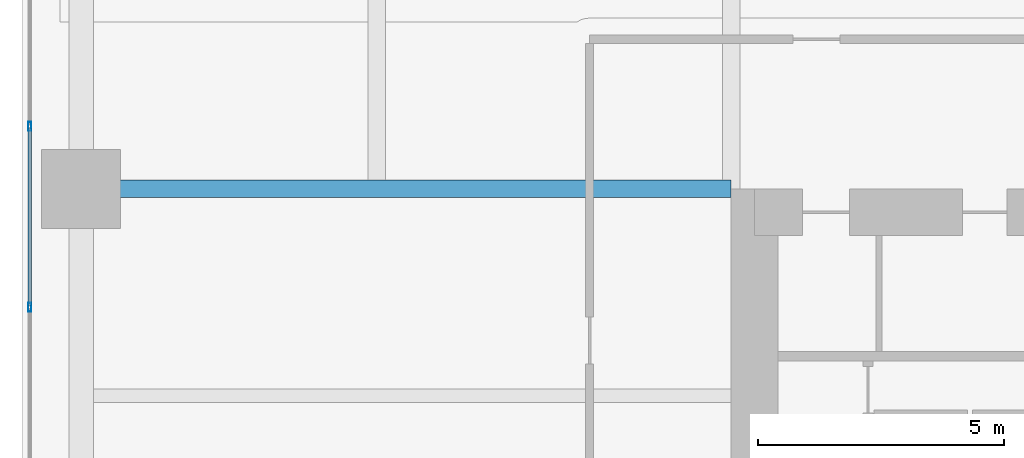
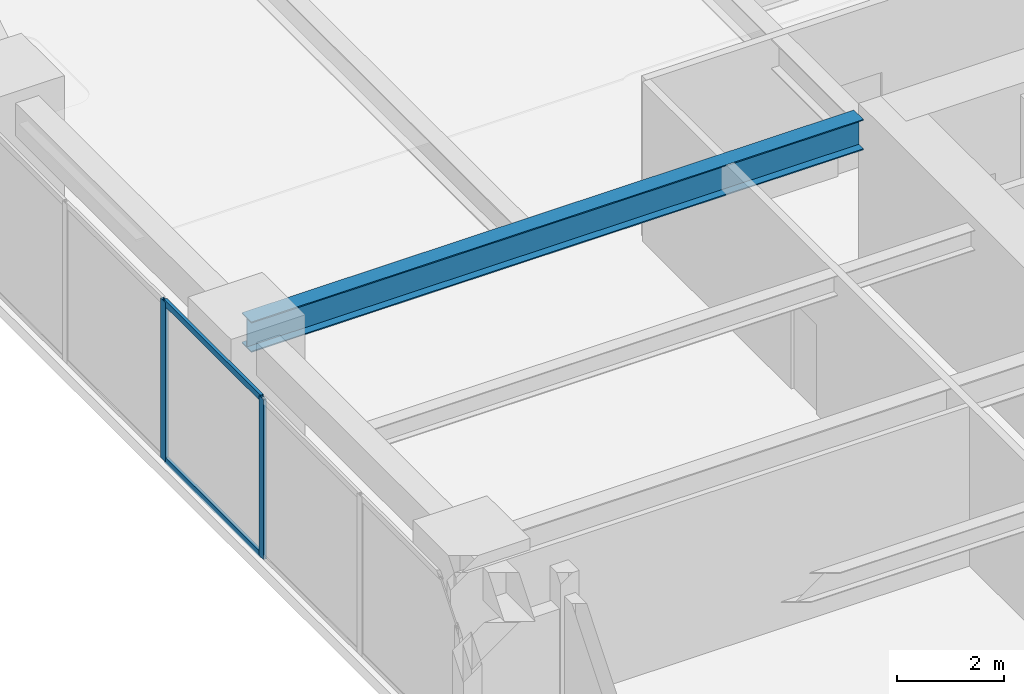
# One storey, part 11 of 28: 4 members, 1 beam, 1 element without a shape of its own.
"""IFC4 building model written with IfcOpenShell, lengths in metres."""

from ifc_helpers import new_model, si_unit, direction, frame, origin, origin_2d, place, context, subcontext, project, spatial, hollow_rectangle, i_section, extrude, material, layer, layer_set, material_profile, profile_set, type_object, element, aggregate, save


model = new_model("IFC4")

# Units and contexts
model_context = context("Model", 3, precision=1e-05, world=origin(), true_north=direction((0.0, 1.0)))
body_context = subcontext(model_context, "Body", "Model", "MODEL_VIEW")
ifc_project = project(units=[si_unit("LENGTHUNIT", "METRE"), si_unit("AREAUNIT", "SQUARE_METRE"), si_unit("VOLUMEUNIT", "CUBIC_METRE"), si_unit("PLANEANGLEUNIT", "RADIAN"), si_unit("MASSUNIT", "GRAM", prefix="KILO")], contexts=[model_context])

# Site, building, storey
site_placement = place(None, origin())
site = spatial("IfcSite", under=ifc_project, at=site_placement, CompositionType="ELEMENT")
building_placement = place(site_placement, origin())
building = spatial("IfcBuilding", under=site, at=building_placement, Name="Kiyonajd Concourse Tower", CompositionType="ELEMENT")
storey_placement = place(building_placement, frame((0.0, 0.0, 56.699951171875)))
storey = spatial("IfcBuildingStorey", under=building, at=storey_placement, Name="L15", CompositionType="ELEMENT", Elevation=56.699951171875)

# Beam
ifc_material_1 = material(Name="Steel ASTM A992 Grade 50", Category="steel")
ifc_material_profile_1 = material_profile(ifc_material_1, i_section(OverallWidth=0.35498046875, OverallDepth=0.695068359375, WebThickness=0.015380859375, FlangeThickness=0.02490234375, at=origin_2d()), Name="W690X217")
ifc_profile_set_1 = profile_set([ifc_material_profile_1], Name="Steel ASTM A992 Grade 50")
beam_type = type_object("IfcBeamType", Name="BM-TWR-690", PredefinedType="BEAM", material=ifc_profile_set_1)
beam_placement = place(storey_placement, frame((19.199951171875, 44.39990234375, 3.29248046875), z_axis=(1.0, 0.0, 0.0), x_axis=(0.0, 1.0, 0.0)))
element("IfcBeam", 1, at=beam_placement, inside=storey, type_object=beam_type, Name="L15 West Lease Girder", PredefinedType="BEAM", context=body_context, shape_type="SweptSolid", body=[
    extrude(i_section(OverallWidth=0.35498046875, OverallDepth=0.695068359375, WebThickness=0.015380859375, FlangeThickness=0.02490234375, at=origin_2d()), origin(), (0.0, 0.0, 1.0), 13.199951171875),
])

# Curtain wall, members
ifc_material_2 = material(Name="Thermally Broken Anodised Aluminium", Category="aluminium")
ifc_layer = layer(ifc_material_2, 0.179931640625)
ifc_layer_set = layer_set([ifc_layer], Name="Thermally Broken Anodised Aluminium")
curtain_wall_type = type_object("IfcCurtainWallType", Name="CW-SYS-02", PredefinedType="NOTDEFINED", material=ifc_layer_set)
curtain_wall_placement = place(storey_placement, origin())
curtain_wall = element("IfcCurtainWall", 2, at=curtain_wall_placement, inside=storey, type_object=curtain_wall_type, Name="L15 Unitised Curtain Wall CW2", PredefinedType="NOTDEFINED")
ifc_material_profile_2 = material_profile(ifc_material_2, hollow_rectangle(XDim=0.06494140625, YDim=0.179931640625, WallThickness=0.00390625, at=origin_2d()), Name="MULL-65x180")
ifc_profile_set_2 = profile_set([ifc_material_profile_2], Name="Thermally Broken Anodised Aluminium")
member_type_1 = type_object("IfcMemberType", Name="MB-CW-MULL1", PredefinedType="MULLION", material=ifc_profile_set_2)
member_1_placement = place(storey_placement, frame((18.159912109375, 41.996337890625, 0.0), z_axis=(0.0, 0.0, 1.0), x_axis=(-1.0, 0.0, 0.0)))
member_1 = element("IfcMember", 3, at=member_1_placement, type_object=member_type_1, Name="CW2 mullion 3", PredefinedType="MULLION", context=body_context, shape_type="SweptSolid", body=[
    extrude(hollow_rectangle(XDim=0.06494140625, YDim=0.179931640625, WallThickness=0.00390625, at=origin_2d()), origin(), (0.0, 0.0, 1.0), 3.64013671875),
])
member_2_placement = place(storey_placement, frame((18.159912109375, 45.66943359375, 0.0), z_axis=(0.0, 0.0, 1.0), x_axis=(-1.0, 0.0, 0.0)))
member_2 = element("IfcMember", 4, at=member_2_placement, type_object=member_type_1, Name="CW2 mullion 4", PredefinedType="MULLION", context=body_context, shape_type="SweptSolid", body=[
    extrude(hollow_rectangle(XDim=0.06494140625, YDim=0.179931640625, WallThickness=0.00390625, at=origin_2d()), origin(), (0.0, 0.0, 1.0), 3.64013671875),
])
ifc_material_profile_3 = material_profile(ifc_material_2, hollow_rectangle(XDim=0.06494140625, YDim=0.139892578125, WallThickness=0.00390625, at=origin_2d()), Name="TRAN-65x140")
ifc_profile_set_3 = profile_set([ifc_material_profile_3], Name="Thermally Broken Anodised Aluminium")
member_type_2 = type_object("IfcMemberType", Name="MB-CW-TRAN1", PredefinedType="USERDEFINED", material=ifc_profile_set_3)
member_3_placement = place(storey_placement, frame((18.159912109375, 42.02880859375, 0.032470703125), z_axis=(0.0, 1.0, 0.0), x_axis=(-1.0, 0.0, 0.0)))
member_3 = element("IfcMember", 5, at=member_3_placement, type_object=member_type_2, Name="CW2 transom 3.1", ObjectType="TRANSOM", PredefinedType="USERDEFINED", context=body_context, shape_type="SweptSolid", body=[
    extrude(hollow_rectangle(XDim=0.06494140625, YDim=0.139892578125, WallThickness=0.00390625, at=origin_2d()), origin(), (0.0, 0.0, 1.0), 3.608154296875),
])
member_4_placement = place(storey_placement, frame((18.159912109375, 42.02880859375, 3.607666015625), z_axis=(0.0, 1.0, 0.0), x_axis=(-1.0, 0.0, 0.0)))
member_4 = element("IfcMember", 6, at=member_4_placement, type_object=member_type_2, Name="CW2 transom 3.2", ObjectType="TRANSOM", PredefinedType="USERDEFINED", context=body_context, shape_type="SweptSolid", body=[
    extrude(hollow_rectangle(XDim=0.06494140625, YDim=0.139892578125, WallThickness=0.00390625, at=origin_2d()), origin(), (0.0, 0.0, 1.0), 3.608154296875),
])
aggregate(curtain_wall, [member_1, member_2, member_3, member_4])

save(model, "model.ifc")
